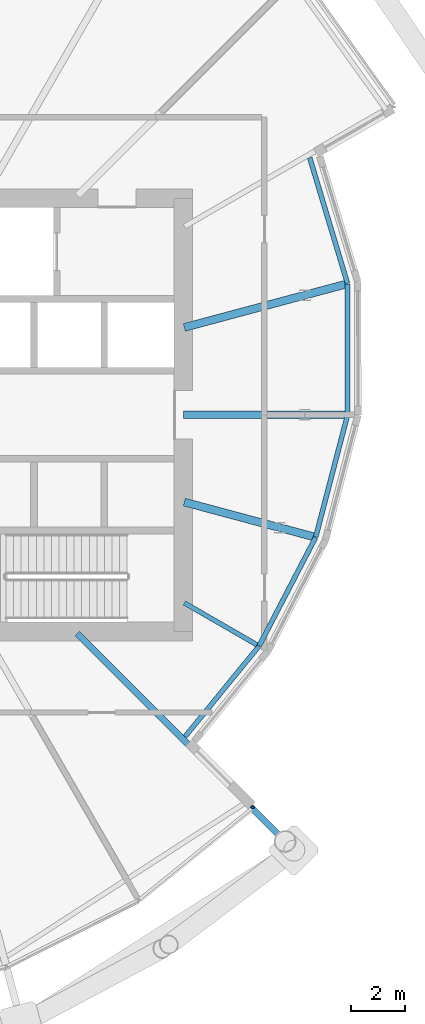
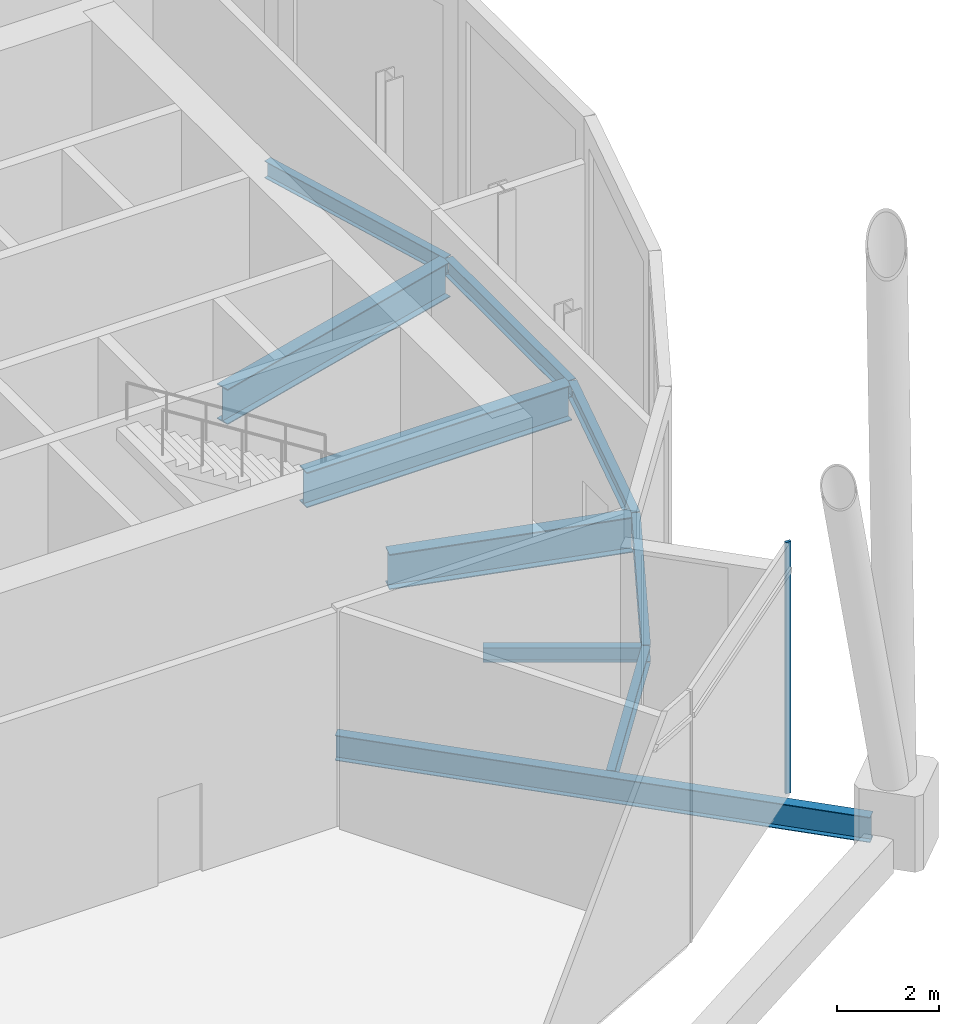
# One storey, part 24 of 39: 10 beams, 1 member, 1 element without a shape of its own.
"""IFC4 building model written with IfcOpenShell, lengths in metres."""

from ifc_helpers import new_model, si_unit, direction, frame, origin, origin_2d, place, context, subcontext, project, spatial, rectangle, i_section, extrude, material, material_profile, profile_set, type_object, element, aggregate, save


model = new_model("IFC4")

# Units and contexts
model_context = context("Model", 3, precision=1e-05, world=origin(), true_north=direction((0.0, 1.0)))
body_context = subcontext(model_context, "Body", "Model", "MODEL_VIEW")
ifc_project = project(units=[si_unit("LENGTHUNIT", "METRE"), si_unit("AREAUNIT", "SQUARE_METRE"), si_unit("VOLUMEUNIT", "CUBIC_METRE"), si_unit("PLANEANGLEUNIT", "RADIAN"), si_unit("MASSUNIT", "GRAM", prefix="KILO")], contexts=[model_context])

# Site, building, storey
site_placement = place(None, origin())
site = spatial("IfcSite", under=ifc_project, at=site_placement, CompositionType="ELEMENT")
building_placement = place(site_placement, origin())
building = spatial("IfcBuilding", under=site, at=building_placement, Name="Rimbun Link Towers", CompositionType="ELEMENT")
storey_placement = place(building_placement, frame((0.0, 0.0, 127.199951171875)))
storey = spatial("IfcBuildingStorey", under=building, at=storey_placement, Name="L31", CompositionType="ELEMENT", Elevation=127.199951171875)

# Curtain wall, member
ifc_material_1 = material(Name="Aluminium 6063-T6 louvre wall", Category="aluminium")
curtain_wall_type = type_object("IfcCurtainWallType", Name="CW6 plant floor louvre wall", PredefinedType="NOTDEFINED", material=ifc_material_1)
curtain_wall_placement = place(storey_placement, origin())
curtain_wall = element("IfcCurtainWall", 1, at=curtain_wall_placement, inside=storey, type_object=curtain_wall_type, Name="CW6 L31 T2", PredefinedType="NOTDEFINED")
ifc_material_2 = material(Name="Aluminium 6063-T6", Category="aluminium")
ifc_material_profile_1 = material_profile(ifc_material_2, rectangle(XDim=0.1201171875, YDim=0.06005859375, at=origin_2d()), Name="MULLION 60X120")
ifc_profile_set_1 = profile_set([ifc_material_profile_1], Name="Aluminium 6063-T6")
member_type = type_object("IfcMemberType", Name="CW6 mullion 60X120", PredefinedType="MULLION", material=ifc_profile_set_1)
member_placement = place(storey_placement, frame((46.308837890625, -14.501953125, 0.0), z_axis=(0.0, 0.0, 1.0), x_axis=(0.998623847443, -0.052444364022, 0.0)))
member = element("IfcMember", 2, at=member_placement, type_object=member_type, Name="CW6 mullion", PredefinedType="MULLION", context=body_context, shape_type="SweptSolid", body=[
    extrude(rectangle(XDim=0.1201171875, YDim=0.06005859375, at=origin_2d()), origin(), (0.0, 0.0, 1.0), 6.0),
])
aggregate(curtain_wall, [member])

# Beams
ifc_material_3 = material(Name="Steel S355J2", Category="steel")
ifc_material_profile_2 = material_profile(ifc_material_3, i_section(OverallWidth=0.17138671875, OverallDepth=0.35498046875, WebThickness=0.00732421875, FlangeThickness=0.011474609375, at=origin_2d()), Name="UB 356x171x51")
ifc_profile_set_2 = profile_set([ifc_material_profile_2], Name="Steel S355J2")
beam_type_1 = type_object("IfcBeamType", Name="UB 356x171x51", PredefinedType="BEAM", material=ifc_profile_set_2)
beam_1_placement = place(storey_placement, frame((43.793701171875, -6.95361328125, -0.357421875), z_axis=(0.866050289759, -0.499956893751, 0.0), x_axis=(0.499956893751, 0.866050289759, 0.0)))
element("IfcBeam", 3, at=beam_1_placement, inside=storey, type_object=beam_type_1, Name="Radial beam T2 L31 19", PredefinedType="BEAM", context=body_context, shape_type="SweptSolid", body=[
    extrude(i_section(OverallWidth=0.17138671875, OverallDepth=0.35498046875, WebThickness=0.00732421875, FlangeThickness=0.011474609375, at=origin_2d()), origin(), (0.0, 0.0, 1.0), 3.094970703125),
])
ifc_material_4 = material(Name="Steel S355J2", Category="steel")
ifc_material_profile_3 = material_profile(ifc_material_4, i_section(OverallWidth=0.177978515625, OverallDepth=0.406494140625, WebThickness=0.0078125, FlangeThickness=0.0126953125, at=origin_2d()), Name="UB 406x178x60")
ifc_profile_set_3 = profile_set([ifc_material_profile_3], Name="Steel S355J2")
beam_type_2 = type_object("IfcBeamType", Name="UB 406x178x60", PredefinedType="BEAM", material=ifc_profile_set_3)
beam_2_placement = place(storey_placement, frame((43.81640625, -11.8916015625, -0.383056640625), z_axis=(0.633021914094, 0.774133874906, 0.0), x_axis=(-0.774133874906, 0.633021914094, 0.0)))
element("IfcBeam", 4, at=beam_2_placement, inside=storey, type_object=beam_type_2, Name="Edge beam T2 L31 18 recess", PredefinedType="BEAM", context=body_context, shape_type="SweptSolid", body=[
    extrude(i_section(OverallWidth=0.177978515625, OverallDepth=0.406494140625, WebThickness=0.0078125, FlangeThickness=0.0126953125, at=origin_2d()), origin(), (0.0, 0.0, 1.0), 4.3115234375),
])
beam_3_placement = place(storey_placement, frame((46.556884765625, -8.537109375, -0.383056640625), z_axis=(0.461470349279, 0.887155632759, 0.0), x_axis=(-0.887155632759, 0.461470349279, 0.0)))
element("IfcBeam", 5, at=beam_3_placement, inside=storey, type_object=beam_type_2, Name="Edge beam T2 L31 19 recess", PredefinedType="BEAM", context=body_context, shape_type="SweptSolid", body=[
    extrude(i_section(OverallWidth=0.177978515625, OverallDepth=0.406494140625, WebThickness=0.0078125, FlangeThickness=0.0126953125, at=origin_2d()), origin(), (0.0, 0.0, 1.0), 4.509521484375),
])
beam_4_placement = place(storey_placement, frame((48.64599609375, -4.515869140625, -0.383056640625), z_axis=(0.252052456514, 0.967713572895, 0.0), x_axis=(-0.967713572895, 0.252052456514, 0.0)))
element("IfcBeam", 6, at=beam_4_placement, inside=storey, type_object=beam_type_2, Name="Edge beam T2 L31 20 recess", PredefinedType="BEAM", context=body_context, shape_type="SweptSolid", body=[
    extrude(i_section(OverallWidth=0.177978515625, OverallDepth=0.406494140625, WebThickness=0.0078125, FlangeThickness=0.0126953125, at=origin_2d()), origin(), (0.0, 0.0, 1.0), 4.654052734375),
])
beam_5_placement = place(storey_placement, frame((49.822265625, 0.012451171875, -0.383056640625), z_axis=(-0.000101394169, 0.99999999486, 0.0), x_axis=(-0.99999999486, -0.000101394169, 0.0)))
element("IfcBeam", 7, at=beam_5_placement, inside=storey, type_object=beam_type_2, Name="Edge beam T2 L31 21 recess", PredefinedType="BEAM", context=body_context, shape_type="SweptSolid", body=[
    extrude(i_section(OverallWidth=0.177978515625, OverallDepth=0.406494140625, WebThickness=0.0078125, FlangeThickness=0.0126953125, at=origin_2d()), origin(), (0.0, 0.0, 1.0), 4.815673828125),
])
beam_6_placement = place(storey_placement, frame((49.817626953125, 4.855712890625, -0.383056640625), z_axis=(-0.287556042549, 0.95776381347, 0.0), x_axis=(-0.95776381347, -0.287556042549, 0.0)))
element("IfcBeam", 8, at=beam_6_placement, inside=storey, type_object=beam_type_2, Name="Edge beam T2 L31 22 recess", PredefinedType="BEAM", context=body_context, shape_type="SweptSolid", body=[
    extrude(i_section(OverallWidth=0.177978515625, OverallDepth=0.406494140625, WebThickness=0.0078125, FlangeThickness=0.0126953125, at=origin_2d()), origin(), (0.0, 0.0, 1.0), 4.842041015625),
])
ifc_material_5 = material(Name="Steel S355J2", Category="steel")
ifc_material_profile_4 = material_profile(ifc_material_5, i_section(OverallWidth=0.2275390625, OverallDepth=0.6025390625, WebThickness=0.010498046875, FlangeThickness=0.014892578125, at=origin_2d()), Name="UB 610x229x101")
ifc_profile_set_4 = profile_set([ifc_material_profile_4], Name="Steel S355J2")
beam_type_3 = type_object("IfcBeamType", Name="UB 610x229x101", PredefinedType="BEAM", material=ifc_profile_set_4)
beam_7_placement = place(storey_placement, frame((39.831298828125, -8.081298828125, -0.481201171875), z_axis=(0.707106781187, -0.707106781187, 0.0), x_axis=(0.707106781187, 0.707106781187, 0.0)))
element("IfcBeam", 9, at=beam_7_placement, inside=storey, type_object=beam_type_3, Name="Radial beam T2 L31 18", PredefinedType="BEAM", context=body_context, shape_type="SweptSolid", body=[
    extrude(i_section(OverallWidth=0.2275390625, OverallDepth=0.6025390625, WebThickness=0.010498046875, FlangeThickness=0.014892578125, at=origin_2d()), origin(), (0.0, 0.0, 1.0), 10.825927734375),
])
ifc_material_6 = material(Name="Steel S355J2", Category="steel")
ifc_material_profile_5 = material_profile(ifc_material_6, i_section(OverallWidth=0.29248046875, OverallDepth=0.8408203125, WebThickness=0.0126953125, FlangeThickness=0.021728515625, at=origin_2d()), Name="UB 838x292x194")
ifc_profile_set_5 = profile_set([ifc_material_profile_5], Name="Steel S355J2")
beam_type_4 = type_object("IfcBeamType", Name="UB 838x292x194", PredefinedType="BEAM", material=ifc_profile_set_5)
beam_8_placement = place(storey_placement, frame((43.788818359375, -3.225830078125, -0.600341796875), z_axis=(0.965922214589, -0.258832523776, 0.0), x_axis=(0.258832523776, 0.965922214589, 0.0)))
element("IfcBeam", 10, at=beam_8_placement, inside=storey, type_object=beam_type_4, Name="Radial beam T2 L31 20", PredefinedType="BEAM", context=body_context, shape_type="SweptSolid", body=[
    extrude(i_section(OverallWidth=0.29248046875, OverallDepth=0.8408203125, WebThickness=0.0126953125, FlangeThickness=0.021728515625, at=origin_2d()), origin(), (0.0, 0.0, 1.0), 4.93505859375),
])
beam_9_placement = place(storey_placement, frame((43.7509765625, 0.0, -0.600341796875), z_axis=(1.0, 0.0, 0.0), x_axis=(0.0, 1.0, 0.0)))
element("IfcBeam", 11, at=beam_9_placement, inside=storey, type_object=beam_type_4, Name="Radial beam T2 L31 21", PredefinedType="BEAM", context=body_context, shape_type="SweptSolid", body=[
    extrude(i_section(OverallWidth=0.29248046875, OverallDepth=0.8408203125, WebThickness=0.0126953125, FlangeThickness=0.021728515625, at=origin_2d()), origin(), (0.0, 0.0, 1.0), 5.980712890625),
])
beam_10_placement = place(storey_placement, frame((43.788818359375, 3.225830078125, -0.600341796875), z_axis=(0.965929462195, 0.258805475335, 0.0), x_axis=(-0.258805475335, 0.965929462195, 0.0)))
element("IfcBeam", 12, at=beam_10_placement, inside=storey, type_object=beam_type_4, Name="Radial beam T2 L31 22", PredefinedType="BEAM", context=body_context, shape_type="SweptSolid", body=[
    extrude(i_section(OverallWidth=0.29248046875, OverallDepth=0.8408203125, WebThickness=0.0126953125, FlangeThickness=0.021728515625, at=origin_2d()), origin(), (0.0, 0.0, 1.0), 6.1552734375),
])

save(model, "model.ifc")
